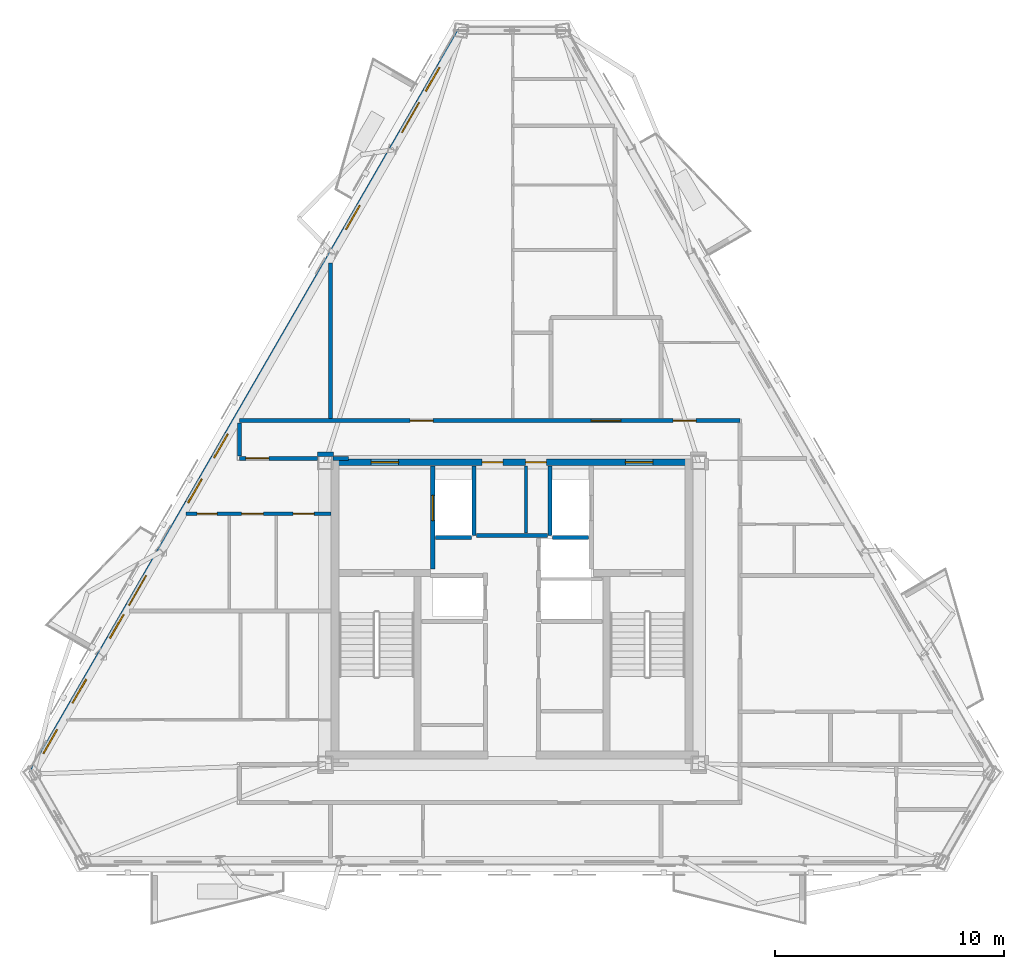
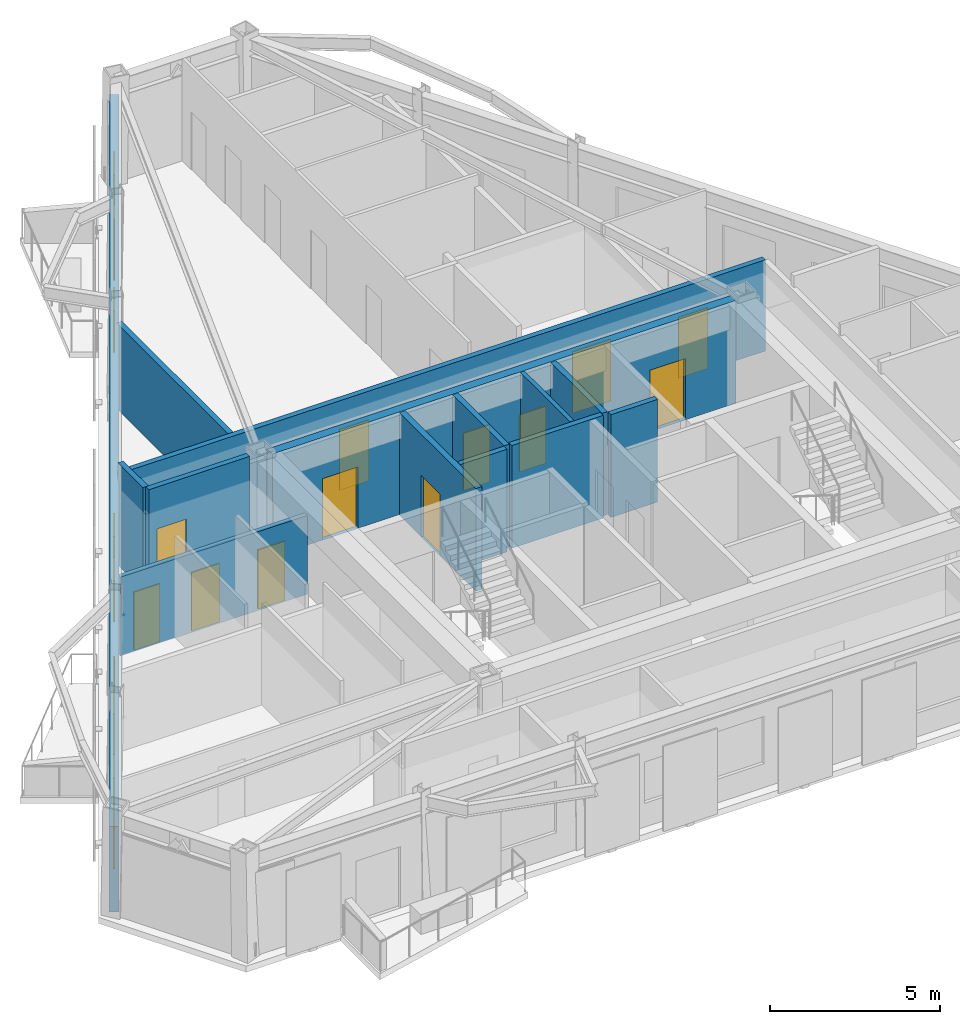
# One storey, part 4 of 9: 16 walls, 14 doors, 7 windows, 21 openings.
"""IFC4 building model written with IfcOpenShell, lengths in metres."""

from ifc_helpers import new_model, si_unit, direction, frame, frame_2d, origin, place, context, subcontext, project, spatial, rectangle, extrude, material, layer, layer_set, type_object, element, fill, save


model = new_model("IFC4")

# Units and contexts
model_context = context("Model", 3, precision=1e-05, world=origin(), true_north=direction((0.0, 1.0)))
body_context = subcontext(model_context, "Body", "Model", "MODEL_VIEW")
ifc_project = project(units=[si_unit("LENGTHUNIT", "METRE"), si_unit("AREAUNIT", "SQUARE_METRE"), si_unit("VOLUMEUNIT", "CUBIC_METRE"), si_unit("PLANEANGLEUNIT", "RADIAN"), si_unit("MASSUNIT", "GRAM", prefix="KILO")], contexts=[model_context])

# Site, building, storey
site_placement = place(None, origin())
site = spatial("IfcSite", under=ifc_project, at=site_placement, CompositionType="ELEMENT")
building_placement = place(site_placement, origin())
building = spatial("IfcBuilding", under=site, at=building_placement, Name="Oramaril Tower", CompositionType="ELEMENT")
storey_placement = place(building_placement, frame((0.0, 0.0, 281.10009765625)))
storey = spatial("IfcBuildingStorey", under=building, at=storey_placement, Name="L74", CompositionType="ELEMENT", Elevation=281.10009765625)

# Wall, openings, doors, windows
ifc_material_1 = material(Name="Warm Cream Limestone", Category="masonry")
ifc_layer_1 = layer(ifc_material_1, 0.2900390625)
ifc_layer_set_1 = layer_set([ifc_layer_1], Name="WT-EXT29")
wall_type_1 = type_object("IfcWallType", Name="WT-EXT29", PredefinedType="SOLIDWALL", material=ifc_layer_set_1)
wall_1_placement = place(storey_placement, frame((35.26416015625, 43.004150390625, 0.0), z_axis=(0.0, 0.0, 1.0), x_axis=(-0.500002460556, -0.866023983177, 0.0)))
wall_1 = element("IfcWall", 1, at=wall_1_placement, inside=storey, type_object=wall_type_1, Name="L74 Tower Limestone Facade Wall 6M", PredefinedType="SOLIDWALL", context=body_context, shape_type="SweptSolid", body=[
    extrude(rectangle(XDim=37.435302734375, YDim=0.2900390625, at=frame_2d((18.7177734375, 0.0))), origin(), (0.0, 0.0, 1.0), 3.057861328125),
])
opening_1_placement = place(wall_1_placement, frame((3.639404296875, 0.0, 0.0)))
opening_1 = element("IfcOpeningElement", 2, at=opening_1_placement, cuts=wall_1, Name="Opening D-L74-BAL-NW1", PredefinedType="OPENING", context=body_context, shape_type="SweptSolid", body=[
    extrude(rectangle(XDim=1.5, YDim=2.199951171875, at=frame_2d((0.75, 1.10009765625))), frame((0.0, 0.14501953125, 0.0), z_axis=(0.0, -1.0, 0.0), x_axis=(1.0, 0.0, 0.0)), (0.0, 0.0, 1.0), 0.2900390625),
])
opening_2_placement = place(wall_1_placement, frame((27.48095703125, 0.0, 0.0)))
opening_2 = element("IfcOpeningElement", 3, at=opening_2_placement, cuts=wall_1, Name="Opening D-L74-BAL-NW2", PredefinedType="OPENING", context=body_context, shape_type="SweptSolid", body=[
    extrude(rectangle(XDim=1.5, YDim=2.199951171875, at=frame_2d((0.75, 1.10009765625))), frame((0.0, 0.14501953125, 0.0), z_axis=(0.0, -1.0, 0.0), x_axis=(1.0, 0.0, 0.0)), (0.0, 0.0, 1.0), 0.2900390625),
])
opening_3_placement = place(wall_1_placement, frame((35.25146484375, 0.0, 0.85009765625)))
opening_3 = element("IfcOpeningElement", 4, at=opening_3_placement, cuts=wall_1, Name="Opening WN-09", PredefinedType="OPENING", context=body_context, shape_type="SweptSolid", body=[
    extrude(rectangle(XDim=1.199951171875, YDim=1.47998046875, at=frame_2d((0.60009765625, 0.739990234375))), frame((0.0, 0.14501953125, 0.0), z_axis=(0.0, -1.0, 0.0), x_axis=(1.0, 0.0, 0.0)), (0.0, 0.0, 1.0), 0.2900390625),
])
opening_4_placement = place(wall_1_placement, frame((29.441162109375, 0.0, 0.85009765625)))
opening_4 = element("IfcOpeningElement", 5, at=opening_4_placement, cuts=wall_1, Name="Opening WN-09", PredefinedType="OPENING", context=body_context, shape_type="SweptSolid", body=[
    extrude(rectangle(XDim=1.199951171875, YDim=1.47998046875, at=frame_2d((0.60009765625, 0.739990234375))), frame((0.0, 0.14501953125, 0.0), z_axis=(0.0, -1.0, 0.0), x_axis=(1.0, 0.0, 0.0)), (0.0, 0.0, 1.0), 0.2900390625),
])
opening_5_placement = place(wall_1_placement, frame((32.708984375, 0.0, 0.85009765625)))
opening_5 = element("IfcOpeningElement", 6, at=opening_5_placement, cuts=wall_1, Name="Opening WN-09", PredefinedType="OPENING", context=body_context, shape_type="SweptSolid", body=[
    extrude(rectangle(XDim=1.199951171875, YDim=1.47998046875, at=frame_2d((0.60009765625, 0.739990234375))), frame((0.0, 0.14501953125, 0.0), z_axis=(0.0, -1.0, 0.0), x_axis=(1.0, 0.0, 0.0)), (0.0, 0.0, 1.0), 0.2900390625),
])
opening_6_placement = place(wall_1_placement, frame((20.34521484375, 0.0, 0.85009765625)))
opening_6 = element("IfcOpeningElement", 7, at=opening_6_placement, cuts=wall_1, Name="Opening WN-09", PredefinedType="OPENING", context=body_context, shape_type="SweptSolid", body=[
    extrude(rectangle(XDim=1.199951171875, YDim=1.47998046875, at=frame_2d((0.60009765625, 0.739990234375))), frame((0.0, 0.14501953125, 0.0), z_axis=(0.0, -1.0, 0.0), x_axis=(1.0, 0.0, 0.0)), (0.0, 0.0, 1.0), 0.2900390625),
])
opening_7_placement = place(wall_1_placement, frame((22.613525390625, 0.0, 0.85009765625)))
opening_7 = element("IfcOpeningElement", 8, at=opening_7_placement, cuts=wall_1, Name="Opening WN-09", PredefinedType="OPENING", context=body_context, shape_type="SweptSolid", body=[
    extrude(rectangle(XDim=1.199951171875, YDim=1.47998046875, at=frame_2d((0.60009765625, 0.739990234375))), frame((0.0, 0.14501953125, 0.0), z_axis=(0.0, -1.0, 0.0), x_axis=(1.0, 0.0, 0.0)), (0.0, 0.0, 1.0), 0.2900390625),
])
opening_8_placement = place(wall_1_placement, frame((1.861572265625, 0.0, 0.85009765625)))
opening_8 = element("IfcOpeningElement", 9, at=opening_8_placement, cuts=wall_1, Name="Opening WN-09", PredefinedType="OPENING", context=body_context, shape_type="SweptSolid", body=[
    extrude(rectangle(XDim=1.199951171875, YDim=1.47998046875, at=frame_2d((0.60009765625, 0.739990234375))), frame((0.0, 0.14501953125, 0.0), z_axis=(0.0, -1.0, 0.0), x_axis=(1.0, 0.0, 0.0)), (0.0, 0.0, 1.0), 0.2900390625),
])
opening_9_placement = place(wall_1_placement, frame((8.825439453125, 0.0, 0.85009765625)))
opening_9 = element("IfcOpeningElement", 10, at=opening_9_placement, cuts=wall_1, Name="Opening WN-09", PredefinedType="OPENING", context=body_context, shape_type="SweptSolid", body=[
    extrude(rectangle(XDim=1.199951171875, YDim=1.47998046875, at=frame_2d((0.60009765625, 0.739990234375))), frame((0.0, 0.14501953125, 0.0), z_axis=(0.0, -1.0, 0.0), x_axis=(1.0, 0.0, 0.0)), (0.0, 0.0, 1.0), 0.2900390625),
])
ifc_material_2 = material(Name="Anodised Aluminium 6063-T6", Category="aluminium")
door_type_1 = type_object("IfcDoorType", Name="DT-BAL", OperationType="NOTDEFINED", PredefinedType="DOOR", material=ifc_material_2)
door_1_placement = place(opening_1_placement, origin())
door_1 = element("IfcDoor", 11, at=door_1_placement, inside=storey, type_object=door_type_1, Name="L74 Balcony Glazed Door L74-BAL-NW1", OperationType="SINGLE_SWING_LEFT", OverallHeight=2.199951171875, OverallWidth=1.5, PredefinedType="DOOR", context=body_context, shape_type="SweptSolid", body=[
    extrude(rectangle(XDim=1.5, YDim=2.199951171875, at=frame_2d((0.75, 1.10009765625))), frame((0.0, 0.02490234375, 0.0), z_axis=(0.0, -1.0, 0.0), x_axis=(1.0, 0.0, 0.0)), (0.0, 0.0, 1.0), 0.050048828125),
])
fill(opening_1, door_1)
door_2_placement = place(opening_2_placement, origin())
door_2 = element("IfcDoor", 12, at=door_2_placement, inside=storey, type_object=door_type_1, Name="L74 Balcony Glazed Door L74-BAL-NW2", OperationType="SINGLE_SWING_RIGHT", OverallHeight=2.199951171875, OverallWidth=1.5, PredefinedType="DOOR", context=body_context, shape_type="SweptSolid", body=[
    extrude(rectangle(XDim=1.5, YDim=2.199951171875, at=frame_2d((0.75, 1.10009765625))), frame((0.0, 0.02490234375, 0.0), z_axis=(0.0, -1.0, 0.0), x_axis=(1.0, 0.0, 0.0)), (0.0, 0.0, 1.0), 0.050048828125),
])
fill(opening_2, door_2)
ifc_material_3 = material(Name="Coastal Low-E Insulated Glass", Category="glass")
window_type = type_object("IfcWindowType", Name="WNT-09", PartitioningType="SINGLE_PANEL", PredefinedType="WINDOW", material=ifc_material_3)
window_1_placement = place(opening_3_placement, origin())
window_1 = element("IfcWindow", 13, at=window_1_placement, inside=storey, type_object=window_type, Name="L74 Chicago Bay Window WN-09", OverallHeight=1.47998046875, OverallWidth=1.199951171875, PartitioningType="SINGLE_PANEL", PredefinedType="WINDOW", context=body_context, shape_type="SweptSolid", body=[
    extrude(rectangle(XDim=1.199951171875, YDim=1.47998046875, at=frame_2d((0.60009765625, 0.739990234375))), frame((0.0, 0.030029296875, 0.0), z_axis=(0.0, -1.0, 0.0), x_axis=(1.0, 0.0, 0.0)), (0.0, 0.0, 1.0), 0.06005859375),
])
fill(opening_3, window_1)
window_2_placement = place(opening_4_placement, origin())
window_2 = element("IfcWindow", 14, at=window_2_placement, inside=storey, type_object=window_type, Name="L74 Chicago Bay Window WN-09", OverallHeight=1.47998046875, OverallWidth=1.199951171875, PartitioningType="SINGLE_PANEL", PredefinedType="WINDOW", context=body_context, shape_type="SweptSolid", body=[
    extrude(rectangle(XDim=1.199951171875, YDim=1.47998046875, at=frame_2d((0.60009765625, 0.739990234375))), frame((0.0, 0.030029296875, 0.0), z_axis=(0.0, -1.0, 0.0), x_axis=(1.0, 0.0, 0.0)), (0.0, 0.0, 1.0), 0.06005859375),
])
fill(opening_4, window_2)
window_3_placement = place(opening_5_placement, origin())
window_3 = element("IfcWindow", 15, at=window_3_placement, inside=storey, type_object=window_type, Name="L74 Chicago Bay Window WN-09", OverallHeight=1.47998046875, OverallWidth=1.199951171875, PartitioningType="SINGLE_PANEL", PredefinedType="WINDOW", context=body_context, shape_type="SweptSolid", body=[
    extrude(rectangle(XDim=1.199951171875, YDim=1.47998046875, at=frame_2d((0.60009765625, 0.739990234375))), frame((0.0, 0.030029296875, 0.0), z_axis=(0.0, -1.0, 0.0), x_axis=(1.0, 0.0, 0.0)), (0.0, 0.0, 1.0), 0.06005859375),
])
fill(opening_5, window_3)
window_4_placement = place(opening_6_placement, origin())
window_4 = element("IfcWindow", 16, at=window_4_placement, inside=storey, type_object=window_type, Name="L74 Chicago Bay Window WN-09", OverallHeight=1.47998046875, OverallWidth=1.199951171875, PartitioningType="SINGLE_PANEL", PredefinedType="WINDOW", context=body_context, shape_type="SweptSolid", body=[
    extrude(rectangle(XDim=1.199951171875, YDim=1.47998046875, at=frame_2d((0.60009765625, 0.739990234375))), frame((0.0, 0.030029296875, 0.0), z_axis=(0.0, -1.0, 0.0), x_axis=(1.0, 0.0, 0.0)), (0.0, 0.0, 1.0), 0.06005859375),
])
fill(opening_6, window_4)
window_5_placement = place(opening_7_placement, origin())
window_5 = element("IfcWindow", 17, at=window_5_placement, inside=storey, type_object=window_type, Name="L74 Chicago Bay Window WN-09", OverallHeight=1.47998046875, OverallWidth=1.199951171875, PartitioningType="SINGLE_PANEL", PredefinedType="WINDOW", context=body_context, shape_type="SweptSolid", body=[
    extrude(rectangle(XDim=1.199951171875, YDim=1.47998046875, at=frame_2d((0.60009765625, 0.739990234375))), frame((0.0, 0.030029296875, 0.0), z_axis=(0.0, -1.0, 0.0), x_axis=(1.0, 0.0, 0.0)), (0.0, 0.0, 1.0), 0.06005859375),
])
fill(opening_7, window_5)
window_6_placement = place(opening_8_placement, origin())
window_6 = element("IfcWindow", 18, at=window_6_placement, inside=storey, type_object=window_type, Name="L74 Chicago Bay Window WN-09", OverallHeight=1.47998046875, OverallWidth=1.199951171875, PartitioningType="SINGLE_PANEL", PredefinedType="WINDOW", context=body_context, shape_type="SweptSolid", body=[
    extrude(rectangle(XDim=1.199951171875, YDim=1.47998046875, at=frame_2d((0.60009765625, 0.739990234375))), frame((0.0, 0.030029296875, 0.0), z_axis=(0.0, -1.0, 0.0), x_axis=(1.0, 0.0, 0.0)), (0.0, 0.0, 1.0), 0.06005859375),
])
fill(opening_8, window_6)
window_7_placement = place(opening_9_placement, origin())
window_7 = element("IfcWindow", 19, at=window_7_placement, inside=storey, type_object=window_type, Name="L74 Chicago Bay Window WN-09", OverallHeight=1.47998046875, OverallWidth=1.199951171875, PartitioningType="SINGLE_PANEL", PredefinedType="WINDOW", context=body_context, shape_type="SweptSolid", body=[
    extrude(rectangle(XDim=1.199951171875, YDim=1.47998046875, at=frame_2d((0.60009765625, 0.739990234375))), frame((0.0, 0.030029296875, 0.0), z_axis=(0.0, -1.0, 0.0), x_axis=(1.0, 0.0, 0.0)), (0.0, 0.0, 1.0), 0.06005859375),
])
fill(opening_9, window_7)

# Wall
ifc_material_4 = material(Name="Acoustic Gypsum Board Partition")
ifc_layer_2 = layer(ifc_material_4, 0.139892578125)
ifc_layer_set_2 = layer_set([ifc_layer_2], Name="WT-PT14")
wall_type_2 = type_object("IfcWallType", Name="WT-PT14", PredefinedType="PARTITIONING", material=ifc_layer_set_2)
wall_2_placement = place(storey_placement, frame((38.110107421875, 21.06005859375, 0.0), z_axis=(0.0, 0.0, 1.0), x_axis=(0.0, 1.0, 0.0)))
element("IfcWall", 20, at=wall_2_placement, inside=storey, type_object=wall_type_2, Name="L74 Core Service Divider", PredefinedType="PARTITIONING", context=body_context, shape_type="SweptSolid", body=[
    extrude(rectangle(XDim=2.919921875, YDim=0.139892578125, at=frame_2d((1.4599609375, 0.0))), origin(), (0.0, 0.0, 1.0), 3.679931640625),
])

# Wall, openings, doors
ifc_material_5 = material(Name="Acoustic Gypsum Board Partition")
ifc_layer_3 = layer(ifc_material_5, 0.159912109375)
ifc_layer_set_3 = layer_set([ifc_layer_3], Name="WT-PT16")
wall_type_3 = type_object("IfcWallType", Name="WT-PT16", PredefinedType="PARTITIONING", material=ifc_layer_set_3)
wall_3_placement = place(storey_placement, frame((23.257568359375, 21.909912109375, 0.0), z_axis=(0.0, 0.0, 1.0), x_axis=(1.0, 0.0, 0.0)))
wall_3 = element("IfcWall", 21, at=wall_3_placement, inside=storey, type_object=wall_type_3, Name="L74 Interior Partition PT-16", PredefinedType="PARTITIONING", context=body_context, shape_type="SweptSolid", body=[
    extrude(rectangle(XDim=6.328369140625, YDim=0.159912109375, at=frame_2d((3.1640625, 0.0))), origin(), (0.0, 0.0, 1.0), 2.81982421875),
])
opening_10_placement = place(wall_3_placement, frame((0.490234375, 0.0, 0.0)))
opening_10 = element("IfcOpeningElement", 22, at=opening_10_placement, cuts=wall_3, Name="Opening D-L74-12", PredefinedType="OPENING", context=body_context, shape_type="SweptSolid", body=[
    extrude(rectangle(XDim=0.8798828125, YDim=2.080078125, at=frame_2d((0.43994140625, 1.0400390625))), frame((0.0, 0.080078125, 0.0), z_axis=(0.0, -1.0, 0.0), x_axis=(1.0, 0.0, 0.0)), (0.0, 0.0, 1.0), 0.159912109375),
])
opening_11_placement = place(wall_3_placement, frame((2.440185546875, 0.0, 0.0)))
opening_11 = element("IfcOpeningElement", 23, at=opening_11_placement, cuts=wall_3, Name="Opening D-L74-13", PredefinedType="OPENING", context=body_context, shape_type="SweptSolid", body=[
    extrude(rectangle(XDim=0.949951171875, YDim=2.10009765625, at=frame_2d((0.47509765625, 1.050048828125))), frame((0.0, 0.080078125, 0.0), z_axis=(0.0, -1.0, 0.0), x_axis=(1.0, 0.0, 0.0)), (0.0, 0.0, 1.0), 0.159912109375),
])
opening_12_placement = place(wall_3_placement, frame((4.686279296875, 0.0, 0.0)))
opening_12 = element("IfcOpeningElement", 24, at=opening_12_placement, cuts=wall_3, Name="Opening D-L74-14", PredefinedType="OPENING", context=body_context, shape_type="SweptSolid", body=[
    extrude(rectangle(XDim=0.919921875, YDim=2.1201171875, at=frame_2d((0.4599609375, 1.06005859375))), frame((0.0, 0.080078125, 0.0), z_axis=(0.0, -1.0, 0.0), x_axis=(1.0, 0.0, 0.0)), (0.0, 0.0, 1.0), 0.159912109375),
])
ifc_material_6 = material(Name="FSC Brazilian Freijo Hardwood", Category="wood")
door_type_2 = type_object("IfcDoorType", Name="DT-BATH", OperationType="NOTDEFINED", PredefinedType="DOOR", material=ifc_material_6)
door_3_placement = place(opening_10_placement, origin())
door_3 = element("IfcDoor", 25, at=door_3_placement, inside=storey, type_object=door_type_2, Name="L74 Flat L74-U4 Bathroom Door D-L74-12", OperationType="SINGLE_SWING_LEFT", OverallHeight=2.080078125, OverallWidth=0.8798828125, PredefinedType="DOOR", context=body_context, shape_type="SweptSolid", body=[
    extrude(rectangle(XDim=0.8798828125, YDim=2.080078125, at=frame_2d((0.43994140625, 1.0400390625))), frame((0.0, 0.02490234375, 0.0), z_axis=(0.0, -1.0, 0.0), x_axis=(1.0, 0.0, 0.0)), (0.0, 0.0, 1.0), 0.050048828125),
])
fill(opening_10, door_3)
ifc_material_7 = material(Name="FSC Brazilian Freijo Hardwood", Category="wood")
door_type_3 = type_object("IfcDoorType", Name="DT-BED", OperationType="NOTDEFINED", PredefinedType="DOOR", material=ifc_material_7)
door_4_placement = place(opening_12_placement, origin())
door_4 = element("IfcDoor", 26, at=door_4_placement, inside=storey, type_object=door_type_3, Name="L74 Flat L74-U4 Master Bedroom Door D-L74-14", OperationType="SINGLE_SWING_LEFT", OverallHeight=2.1201171875, OverallWidth=0.919921875, PredefinedType="DOOR", context=body_context, shape_type="SweptSolid", body=[
    extrude(rectangle(XDim=0.919921875, YDim=2.1201171875, at=frame_2d((0.4599609375, 1.06005859375))), frame((0.0, 0.02490234375, 0.0), z_axis=(0.0, -1.0, 0.0), x_axis=(1.0, 0.0, 0.0)), (0.0, 0.0, 1.0), 0.050048828125),
])
fill(opening_12, door_4)
ifc_material_8 = material(Name="FSC Brazilian Freijo Hardwood", Category="wood")
door_type_4 = type_object("IfcDoorType", Name="DT-STDY", OperationType="NOTDEFINED", PredefinedType="DOOR", material=ifc_material_8)
door_5_placement = place(opening_11_placement, origin())
door_5 = element("IfcDoor", 27, at=door_5_placement, inside=storey, type_object=door_type_4, Name="L74 Flat L74-U4 Kitchen Door D-L74-13", OperationType="SINGLE_SWING_RIGHT", OverallHeight=2.10009765625, OverallWidth=0.949951171875, PredefinedType="DOOR", context=body_context, shape_type="SweptSolid", body=[
    extrude(rectangle(XDim=0.949951171875, YDim=2.10009765625, at=frame_2d((0.47509765625, 1.050048828125))), frame((0.0, 0.02490234375, 0.0), z_axis=(0.0, -1.0, 0.0), x_axis=(1.0, 0.0, 0.0)), (0.0, 0.0, 1.0), 0.050048828125),
])
fill(opening_11, door_5)

# Walls
ifc_material_9 = material(Name="Autoclaved Cellular Concrete Block", Category="concrete")
ifc_layer_4 = layer(ifc_material_9, 0.179931640625)
ifc_layer_set_4 = layer_set([ifc_layer_4], Name="WT-PT18")
wall_type_4 = type_object("IfcWallType", Name="WT-PT18", PredefinedType="PARTITIONING", material=ifc_layer_set_4)
wall_4_placement = place(storey_placement, frame((35.840087890625, 20.9599609375, 0.0), z_axis=(0.0, 0.0, 1.0), x_axis=(0.0, 1.0, 0.0)))
element("IfcWall", 28, at=wall_4_placement, inside=storey, type_object=wall_type_4, Name="L74 FL-1 East Shaft Wall", PredefinedType="PARTITIONING", context=body_context, shape_type="SweptSolid", body=[
    extrude(rectangle(XDim=3.02001953125, YDim=0.179931640625, at=frame_2d((1.510009765625, 0.0))), origin(), (0.0, 0.0, 1.0), 3.679931640625),
])
wall_5_placement = place(storey_placement, frame((34.159912109375, 20.860107421875, 0.0), z_axis=(0.0, 0.0, 1.0), x_axis=(1.0, 0.0, 0.0)))
element("IfcWall", 29, at=wall_5_placement, inside=storey, type_object=wall_type_4, Name="L74 FL-1 South Shaft Wall", PredefinedType="PARTITIONING", context=body_context, shape_type="SweptSolid", body=[
    extrude(rectangle(XDim=1.580078125, YDim=0.179931640625, at=frame_2d((0.7900390625, 0.0))), origin(), (0.0, 0.0, 1.0), 3.679931640625),
])
wall_6_placement = place(storey_placement, frame((39.159912109375, 20.9599609375, 0.0), z_axis=(0.0, 0.0, 1.0), x_axis=(0.0, 1.0, 0.0)))
element("IfcWall", 30, at=wall_6_placement, inside=storey, type_object=wall_type_4, Name="L74 FL-2 West Shaft Wall", PredefinedType="PARTITIONING", context=body_context, shape_type="SweptSolid", body=[
    extrude(rectangle(XDim=3.02001953125, YDim=0.179931640625, at=frame_2d((1.510009765625, 0.0))), origin(), (0.0, 0.0, 1.0), 3.679931640625),
])
wall_7_placement = place(storey_placement, frame((39.260009765625, 20.860107421875, 0.0), z_axis=(0.0, 0.0, 1.0), x_axis=(1.0, 0.0, 0.0)))
element("IfcWall", 31, at=wall_7_placement, inside=storey, type_object=wall_type_4, Name="L74 FL-2 South Shaft Wall", PredefinedType="PARTITIONING", context=body_context, shape_type="SweptSolid", body=[
    extrude(rectangle(XDim=1.580078125, YDim=0.179931640625, at=frame_2d((0.7900390625, 0.0))), origin(), (0.0, 0.0, 1.0), 3.679931640625),
])
wall_8_placement = place(storey_placement, frame((35.949951171875, 20.949951171875, 0.0), z_axis=(0.0, 0.0, 1.0), x_axis=(1.0, 0.0, 0.0)))
element("IfcWall", 32, at=wall_8_placement, inside=storey, type_object=wall_type_4, Name="L74 Lift Lobby North Partition", PredefinedType="PARTITIONING", context=body_context, shape_type="SweptSolid", body=[
    extrude(rectangle(XDim=3.10009765625, YDim=0.179931640625, at=frame_2d((1.550048828125, 0.0))), origin(), (0.0, 0.0, 1.0), 3.679931640625),
])

# Wall, opening, door
wall_9_placement = place(storey_placement, frame((25.60009765625, 24.320068359375, 0.0), z_axis=(0.0, 0.0, 1.0), x_axis=(1.0, 0.0, 0.0)))
wall_9 = element("IfcWall", 33, at=wall_9_placement, inside=storey, type_object=wall_type_4, Name="L74 Interior Partition PT-18", PredefinedType="PARTITIONING", context=body_context, shape_type="SweptSolid", body=[
    extrude(rectangle(XDim=3.409912109375, YDim=0.179931640625, at=frame_2d((1.705078125, 0.0))), origin(), (0.0, 0.0, 1.0), 3.679931640625),
])
opening_13_placement = place(wall_9_placement, frame((0.28173828125, 0.0, 0.0)))
opening_13 = element("IfcOpeningElement", 34, at=opening_13_placement, cuts=wall_9, Name="Opening D-L74-15", PredefinedType="OPENING", context=body_context, shape_type="SweptSolid", body=[
    extrude(rectangle(XDim=1.0, YDim=2.179931640625, at=frame_2d((0.5, 1.08984375))), frame((0.0, 0.08984375, 0.0), z_axis=(0.0, -1.0, 0.0), x_axis=(1.0, 0.0, 0.0)), (0.0, 0.0, 1.0), 0.179931640625),
])
ifc_material_10 = material(Name="FSC Brazilian Freijo Hardwood", Category="wood")
door_type_5 = type_object("IfcDoorType", Name="DT-APT", OperationType="NOTDEFINED", PredefinedType="DOOR", material=ifc_material_10)
door_6_placement = place(opening_13_placement, origin())
door_6 = element("IfcDoor", 35, at=door_6_placement, inside=storey, type_object=door_type_5, Name="L74 Flat L74-U4 Living and Dining Room Door D-L74-15", OperationType="SINGLE_SWING_RIGHT", OverallHeight=2.179931640625, OverallWidth=1.0, PredefinedType="DOOR", context=body_context, shape_type="SweptSolid", body=[
    extrude(rectangle(XDim=1.0, YDim=2.179931640625, at=frame_2d((0.5, 1.08984375))), frame((0.0, 0.02490234375, 0.0), z_axis=(0.0, -1.0, 0.0), x_axis=(1.0, 0.0, 0.0)), (0.0, 0.0, 1.0), 0.050048828125),
])
fill(opening_13, door_6)

# Walls
wall_10_placement = place(storey_placement, frame((29.68994140625, 24.320068359375, 0.0), z_axis=(0.0, 0.0, 1.0), x_axis=(1.0, 0.0, 0.0)))
element("IfcWall", 36, at=wall_10_placement, inside=storey, type_object=wall_type_4, Name="L74 Interior Partition PT-18", PredefinedType="PARTITIONING", context=body_context, shape_type="SweptSolid", body=[
    extrude(rectangle(XDim=0.6650390625, YDim=0.179931640625, at=frame_2d((0.33251953125, 0.0))), origin(), (0.0, 0.0, 1.0), 2.81982421875),
])
wall_11_placement = place(storey_placement, frame((29.0048828125, 24.5, 0.0), z_axis=(0.0, 0.0, 1.0), x_axis=(1.0, 0.0, 0.0)))
element("IfcWall", 37, at=wall_11_placement, inside=storey, type_object=wall_type_4, Name="L74 Interior Partition PT-18", PredefinedType="PARTITIONING", context=body_context, shape_type="SweptSolid", body=[
    extrude(rectangle(XDim=0.690185546875, YDim=0.179931640625, at=frame_2d((0.34521484375, 0.0))), origin(), (0.0, 0.0, 1.0), 3.265869140625),
])

# Wall, openings, doors
wall_12_placement = place(storey_placement, frame((25.602783203125, 25.969970703125, 0.0), z_axis=(0.0, 0.0, 1.0), x_axis=(1.0, 0.0, 0.0)))
wall_12 = element("IfcWall", 38, at=wall_12_placement, inside=storey, type_object=wall_type_4, Name="L74 Interior Partition PT-18", PredefinedType="PARTITIONING", context=body_context, shape_type="SweptSolid", body=[
    extrude(rectangle(XDim=21.84716796875, YDim=0.179931640625, at=frame_2d((10.923583984375, 0.0))), origin(), (0.0, 0.0, 1.0), 3.265869140625),
])
opening_14_placement = place(wall_12_placement, frame((7.45166015625, 0.0, 0.0)))
opening_14 = element("IfcOpeningElement", 39, at=opening_14_placement, cuts=wall_12, Name="Opening D-L74-16", PredefinedType="OPENING", context=body_context, shape_type="SweptSolid", body=[
    extrude(rectangle(XDim=1.0, YDim=2.179931640625, at=frame_2d((0.5, 1.08984375))), frame((0.0, 0.08984375, 0.0), z_axis=(0.0, -1.0, 0.0), x_axis=(1.0, 0.0, 0.0)), (0.0, 0.0, 1.0), 0.179931640625),
])
opening_15_placement = place(wall_12_placement, frame((15.347412109375, 0.0, 0.0)))
opening_15 = element("IfcOpeningElement", 40, at=opening_15_placement, cuts=wall_12, Name="Opening D-L74-17", PredefinedType="OPENING", context=body_context, shape_type="SweptSolid", body=[
    extrude(rectangle(XDim=1.300048828125, YDim=2.199951171875, at=frame_2d((0.64990234375, 1.10009765625))), frame((0.0, 0.08984375, 0.0), z_axis=(0.0, -1.0, 0.0), x_axis=(1.0, 0.0, 0.0)), (0.0, 0.0, 1.0), 0.179931640625),
])
opening_16_placement = place(wall_12_placement, frame((18.937744140625, 0.0, 0.0)))
opening_16 = element("IfcOpeningElement", 41, at=opening_16_placement, cuts=wall_12, Name="Opening D-L74-18", PredefinedType="OPENING", context=body_context, shape_type="SweptSolid", body=[
    extrude(rectangle(XDim=1.0, YDim=2.179931640625, at=frame_2d((0.5, 1.08984375))), frame((0.0, 0.08984375, 0.0), z_axis=(0.0, -1.0, 0.0), x_axis=(1.0, 0.0, 0.0)), (0.0, 0.0, 1.0), 0.179931640625),
])
door_7_placement = place(opening_14_placement, origin())
door_7 = element("IfcDoor", 42, at=door_7_placement, inside=storey, type_object=door_type_5, Name="L74 Flat L74-U7 Penthouse Living and Dining Room Door D-L74-16", OperationType="SINGLE_SWING_LEFT", OverallHeight=2.179931640625, OverallWidth=1.0, PredefinedType="DOOR", context=body_context, shape_type="SweptSolid", body=[
    extrude(rectangle(XDim=1.0, YDim=2.179931640625, at=frame_2d((0.5, 1.08984375))), frame((0.0, 0.02490234375, 0.0), z_axis=(0.0, -1.0, 0.0), x_axis=(1.0, 0.0, 0.0)), (0.0, 0.0, 1.0), 0.050048828125),
])
fill(opening_14, door_7)
door_8_placement = place(opening_16_placement, origin())
door_8 = element("IfcDoor", 43, at=door_8_placement, inside=storey, type_object=door_type_5, Name="L74 Flat L74-U8 Kitchen and Studio Apartment Door D-L74-18", OperationType="SINGLE_SWING_LEFT", OverallHeight=2.179931640625, OverallWidth=1.0, PredefinedType="DOOR", context=body_context, shape_type="SweptSolid", body=[
    extrude(rectangle(XDim=1.0, YDim=2.179931640625, at=frame_2d((0.5, 1.08984375))), frame((0.0, 0.02490234375, 0.0), z_axis=(0.0, -1.0, 0.0), x_axis=(1.0, 0.0, 0.0)), (0.0, 0.0, 1.0), 0.050048828125),
])
fill(opening_16, door_8)
ifc_material_11 = material(Name="FSC Brazilian Freijo Hardwood", Category="wood")
door_type_6 = type_object("IfcDoorType", Name="DT-COM", OperationType="NOTDEFINED", PredefinedType="DOOR", material=ifc_material_11)
door_9_placement = place(opening_15_placement, origin())
door_9 = element("IfcDoor", 44, at=door_9_placement, inside=storey, type_object=door_type_6, Name="L74 L74 Residents Floor Meeting Suite Door D-L74-17", OperationType="SINGLE_SWING_RIGHT", OverallHeight=2.199951171875, OverallWidth=1.300048828125, PredefinedType="DOOR", context=body_context, shape_type="SweptSolid", body=[
    extrude(rectangle(XDim=1.300048828125, YDim=2.199951171875, at=frame_2d((0.64990234375, 1.10009765625))), frame((0.0, 0.02490234375, 0.0), z_axis=(0.0, -1.0, 0.0), x_axis=(1.0, 0.0, 0.0)), (0.0, 0.0, 1.0), 0.050048828125),
])
fill(opening_15, door_9)

# Walls
wall_13_placement = place(storey_placement, frame((25.60009765625, 24.4140625, 0.0), z_axis=(0.0, 0.0, 1.0), x_axis=(0.0, 1.0, 0.0)))
element("IfcWall", 45, at=wall_13_placement, inside=storey, type_object=wall_type_4, Name="L74 Interior Partition PT-18", PredefinedType="PARTITIONING", context=body_context, shape_type="SweptSolid", body=[
    extrude(rectangle(XDim=1.4619140625, YDim=0.179931640625, at=frame_2d((0.73095703125, 0.0))), origin(), (0.0, 0.0, 1.0), 3.679931640625),
])
wall_14_placement = place(storey_placement, frame((29.580078125, 26.06396484375, 0.0), z_axis=(0.0, 0.0, 1.0), x_axis=(0.0, 1.0, 0.0)))
element("IfcWall", 46, at=wall_14_placement, inside=storey, type_object=wall_type_4, Name="L74 Interior Partition PT-18", PredefinedType="PARTITIONING", context=body_context, shape_type="SweptSolid", body=[
    extrude(rectangle(XDim=6.796875, YDim=0.179931640625, at=frame_2d((3.3984375, 0.0))), origin(), (0.0, 0.0, 1.0), 3.057861328125),
])

# Wall, openings, doors
ifc_material_12 = material(Name="Concrete C50/60", Category="concrete")
ifc_layer_5 = layer(ifc_material_12, 0.300048828125)
ifc_layer_set_5 = layer_set([ifc_layer_5], Name="WT-SH30")
wall_type_5 = type_object("IfcWallType", Name="WT-SH30", PredefinedType="SHEAR", material=ifc_layer_set_5)
wall_15_placement = place(storey_placement, frame((29.64990234375, 24.14990234375, 0.0), z_axis=(0.0, 0.0, 1.0), x_axis=(1.0, 0.0, 0.0)))
wall_15 = element("IfcWall", 47, at=wall_15_placement, inside=storey, type_object=wall_type_5, Name="L74 Core Shear Wall CW-N", PredefinedType="SHEAR", context=body_context, shape_type="SweptSolid", body=[
    extrude(rectangle(XDim=15.7001953125, YDim=0.300048828125, at=frame_2d((7.85009765625, 0.0))), origin(), (0.0, 0.0, 1.0), 3.679931640625),
])
opening_17_placement = place(wall_15_placement, frame((1.699951171875, 0.0, 0.0)))
opening_17 = element("IfcOpeningElement", 48, at=opening_17_placement, cuts=wall_15, Name="Opening D-L74-FFL1", PredefinedType="OPENING", context=body_context, shape_type="SweptSolid", body=[
    extrude(rectangle(XDim=1.199951171875, YDim=2.199951171875, at=frame_2d((0.60009765625, 1.10009765625))), frame((0.0, 0.14990234375, 0.0), z_axis=(0.0, -1.0, 0.0), x_axis=(1.0, 0.0, 0.0)), (0.0, 0.0, 1.0), 0.300048828125),
])
opening_18_placement = place(wall_15_placement, frame((12.800048828125, 0.0, 0.0)))
opening_18 = element("IfcOpeningElement", 49, at=opening_18_placement, cuts=wall_15, Name="Opening D-L74-FFL2", PredefinedType="OPENING", context=body_context, shape_type="SweptSolid", body=[
    extrude(rectangle(XDim=1.199951171875, YDim=2.199951171875, at=frame_2d((0.60009765625, 1.10009765625))), frame((0.0, 0.14990234375, 0.0), z_axis=(0.0, -1.0, 0.0), x_axis=(1.0, 0.0, 0.0)), (0.0, 0.0, 1.0), 0.300048828125),
])
opening_19_placement = place(wall_15_placement, frame((6.550048828125, 0.0, 0.0)))
opening_19 = element("IfcOpeningElement", 50, at=opening_19_placement, cuts=wall_15, Name="Opening D-L74-SV1", PredefinedType="OPENING", context=body_context, shape_type="SweptSolid", body=[
    extrude(rectangle(XDim=0.89990234375, YDim=2.050048828125, at=frame_2d((0.449951171875, 1.02490234375))), frame((0.0, 0.14990234375, 0.0), z_axis=(0.0, -1.0, 0.0), x_axis=(1.0, 0.0, 0.0)), (0.0, 0.0, 1.0), 0.300048828125),
])
opening_20_placement = place(wall_15_placement, frame((8.449951171875, 0.0, 0.0)))
opening_20 = element("IfcOpeningElement", 51, at=opening_20_placement, cuts=wall_15, Name="Opening D-L74-SV2", PredefinedType="OPENING", context=body_context, shape_type="SweptSolid", body=[
    extrude(rectangle(XDim=0.89990234375, YDim=2.050048828125, at=frame_2d((0.449951171875, 1.02490234375))), frame((0.0, 0.14990234375, 0.0), z_axis=(0.0, -1.0, 0.0), x_axis=(1.0, 0.0, 0.0)), (0.0, 0.0, 1.0), 0.300048828125),
])
ifc_material_13 = material(Name="Painted Galvanised Steel", Category="steel")
door_type_7 = type_object("IfcDoorType", Name="DT-FFL", OperationType="NOTDEFINED", PredefinedType="DOOR", material=ifc_material_13)
door_10_placement = place(opening_17_placement, origin())
door_10 = element("IfcDoor", 52, at=door_10_placement, inside=storey, type_object=door_type_7, Name="L74 Firefighting Lobby 1 Fire Door", OperationType="SINGLE_SWING_LEFT", OverallHeight=2.199951171875, OverallWidth=1.199951171875, PredefinedType="DOOR", context=body_context, shape_type="SweptSolid", body=[
    extrude(rectangle(XDim=1.199951171875, YDim=2.199951171875, at=frame_2d((0.60009765625, 1.10009765625))), frame((0.0, 0.02490234375, 0.0), z_axis=(0.0, -1.0, 0.0), x_axis=(1.0, 0.0, 0.0)), (0.0, 0.0, 1.0), 0.050048828125),
])
fill(opening_17, door_10)
door_11_placement = place(opening_18_placement, origin())
door_11 = element("IfcDoor", 53, at=door_11_placement, inside=storey, type_object=door_type_7, Name="L74 Firefighting Lobby 2 Fire Door", OperationType="SINGLE_SWING_RIGHT", OverallHeight=2.199951171875, OverallWidth=1.199951171875, PredefinedType="DOOR", context=body_context, shape_type="SweptSolid", body=[
    extrude(rectangle(XDim=1.199951171875, YDim=2.199951171875, at=frame_2d((0.60009765625, 1.10009765625))), frame((0.0, 0.02490234375, 0.0), z_axis=(0.0, -1.0, 0.0), x_axis=(1.0, 0.0, 0.0)), (0.0, 0.0, 1.0), 0.050048828125),
])
fill(opening_18, door_11)
ifc_material_14 = material(Name="Painted Galvanised Steel", Category="steel")
door_type_8 = type_object("IfcDoorType", Name="DT-SVC", OperationType="NOTDEFINED", PredefinedType="DOOR", material=ifc_material_14)
door_12_placement = place(opening_19_placement, origin())
door_12 = element("IfcDoor", 54, at=door_12_placement, inside=storey, type_object=door_type_8, Name="L74 Core Service Store 1 Door", OperationType="SINGLE_SWING_LEFT", OverallHeight=2.050048828125, OverallWidth=0.89990234375, PredefinedType="DOOR", context=body_context, shape_type="SweptSolid", body=[
    extrude(rectangle(XDim=0.89990234375, YDim=2.050048828125, at=frame_2d((0.449951171875, 1.02490234375))), frame((0.0, 0.02490234375, 0.0), z_axis=(0.0, -1.0, 0.0), x_axis=(1.0, 0.0, 0.0)), (0.0, 0.0, 1.0), 0.050048828125),
])
fill(opening_19, door_12)
door_13_placement = place(opening_20_placement, origin())
door_13 = element("IfcDoor", 55, at=door_13_placement, inside=storey, type_object=door_type_8, Name="L74 Core Service Store 2 Door", OperationType="SINGLE_SWING_RIGHT", OverallHeight=2.050048828125, OverallWidth=0.89990234375, PredefinedType="DOOR", context=body_context, shape_type="SweptSolid", body=[
    extrude(rectangle(XDim=0.89990234375, YDim=2.050048828125, at=frame_2d((0.449951171875, 1.02490234375))), frame((0.0, 0.02490234375, 0.0), z_axis=(0.0, -1.0, 0.0), x_axis=(1.0, 0.0, 0.0)), (0.0, 0.0, 1.0), 0.050048828125),
])
fill(opening_20, door_13)

# Wall, opening, door
ifc_material_15 = material(Name="Autoclaved Cellular Concrete Block", Category="concrete")
ifc_layer_6 = layer(ifc_material_15, 0.199951171875)
ifc_layer_set_6 = layer_set([ifc_layer_6], Name="WT-SHF20")
wall_type_6 = type_object("IfcWallType", Name="WT-SHF20", PredefinedType="PARTITIONING", material=ifc_layer_set_6)
wall_16_placement = place(storey_placement, frame((34.0400390625, 19.47998046875, 0.0), z_axis=(0.0, 0.0, 1.0), x_axis=(0.0, 1.0, 0.0)))
wall_16 = element("IfcWall", 56, at=wall_16_placement, inside=storey, type_object=wall_type_6, Name="L74 FL-1 Lobby Shaft Wall", PredefinedType="PARTITIONING", context=body_context, shape_type="SweptSolid", body=[
    extrude(rectangle(XDim=4.5, YDim=0.199951171875, at=frame_2d((2.25, 0.0))), origin(), (0.0, 0.0, 1.0), 3.679931640625),
])
opening_21_placement = place(wall_16_placement, frame((2.1201171875, 0.0, 0.0)))
opening_21 = element("IfcOpeningElement", 57, at=opening_21_placement, cuts=wall_16, Name="Opening LD-L74-FL-1", PredefinedType="OPENING", context=body_context, shape_type="SweptSolid", body=[
    extrude(rectangle(XDim=1.10009765625, YDim=2.199951171875, at=frame_2d((0.550048828125, 1.10009765625))), frame((0.0, 0.10009765625, 0.0), z_axis=(0.0, -1.0, 0.0), x_axis=(1.0, 0.0, 0.0)), (0.0, 0.0, 1.0), 0.199951171875),
])
ifc_material_16 = material(Name="Stainless Steel 316L", Category="steel")
door_type_9 = type_object("IfcDoorType", Name="DT-LD1", OperationType="NOTDEFINED", PredefinedType="DOOR", material=ifc_material_16)
door_14_placement = place(opening_21_placement, origin())
door_14 = element("IfcDoor", 58, at=door_14_placement, inside=storey, type_object=door_type_9, Name="L74 Lift FL-1 Sliding Landing Door", OperationType="SLIDING_TO_LEFT", OverallHeight=2.199951171875, OverallWidth=1.10009765625, PredefinedType="DOOR", context=body_context, shape_type="SweptSolid", body=[
    extrude(rectangle(XDim=1.10009765625, YDim=2.199951171875, at=frame_2d((0.550048828125, 1.10009765625))), frame((0.0, 0.02490234375, 0.0), z_axis=(0.0, -1.0, 0.0), x_axis=(1.0, 0.0, 0.0)), (0.0, 0.0, 1.0), 0.050048828125),
])
fill(opening_21, door_14)

save(model, "model.ifc")
